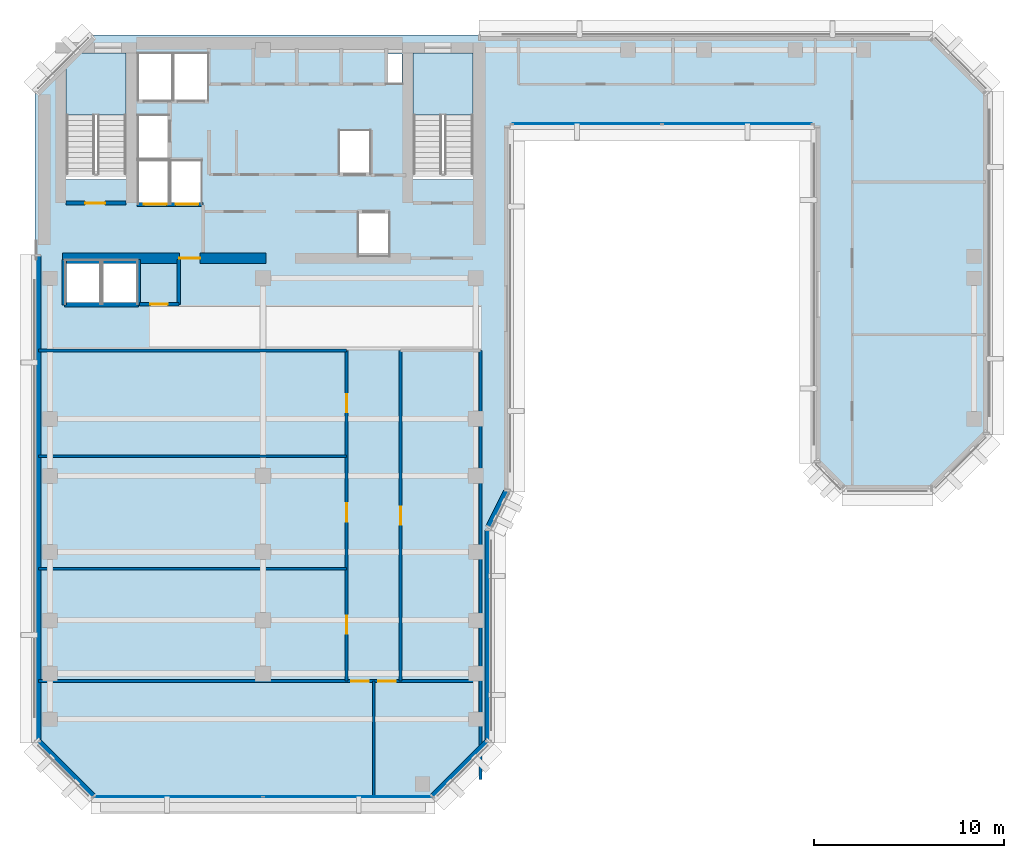
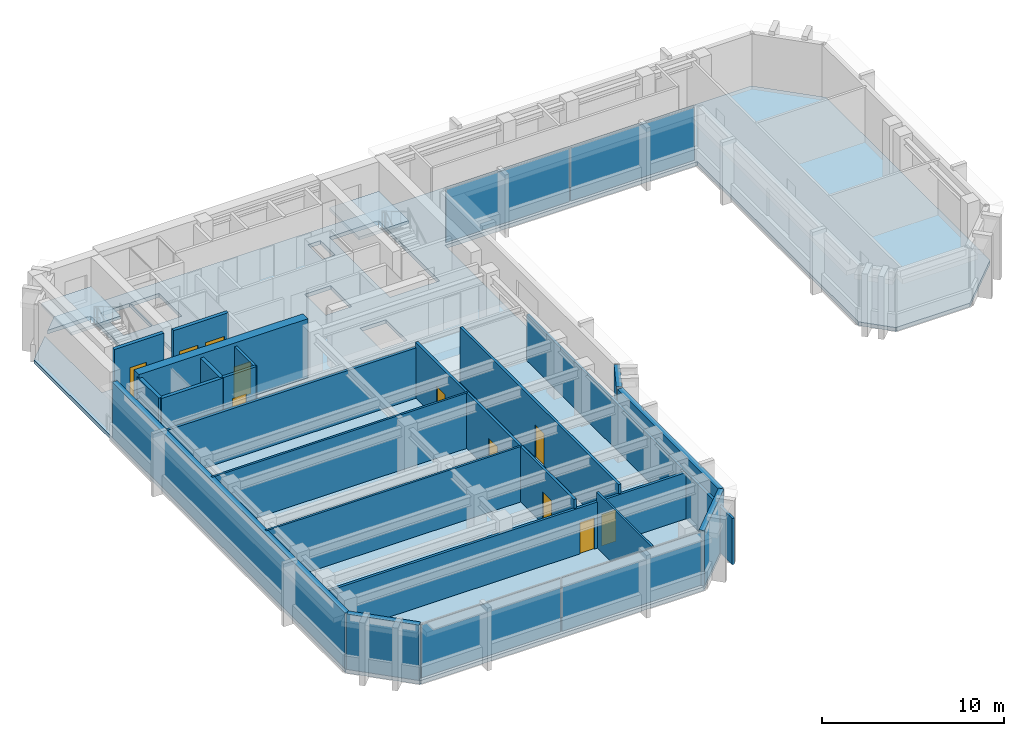
# One storey, part 5 of 11: 21 walls, 11 doors, 4 plates, 3 slabs, 11 openings, 4 elements without a shape of their own.
"""IFC4 building model written with IfcOpenShell, lengths in metres."""

from ifc_helpers import new_model, si_unit, direction, frame, frame_2d, origin, origin_2d, place, context, subcontext, project, spatial, polyline, rectangle, outline, extrude, material, layer, layer_set, type_object, element, fill, aggregate, save


model = new_model("IFC4")

# Units and contexts
model_context = context("Model", 3, precision=1e-05, world=origin(), true_north=direction((0.0, 1.0)))
body_context = subcontext(model_context, "Body", "Model", "MODEL_VIEW")
ifc_project = project(units=[si_unit("LENGTHUNIT", "METRE"), si_unit("AREAUNIT", "SQUARE_METRE"), si_unit("VOLUMEUNIT", "CUBIC_METRE"), si_unit("PLANEANGLEUNIT", "RADIAN"), si_unit("MASSUNIT", "GRAM", prefix="KILO")], contexts=[model_context])

# Site, building, storey
site_placement = place(None, origin())
site = spatial("IfcSite", under=ifc_project, at=site_placement, CompositionType="ELEMENT")
building_placement = place(site_placement, origin())
building = spatial("IfcBuilding", under=site, at=building_placement, Name="Kefirva Bronze Tower", CompositionType="ELEMENT")
storey_placement = place(building_placement, frame((0.0, 0.0, 227.699951171875)))
storey = spatial("IfcBuildingStorey", under=building, at=storey_placement, Name="L55", CompositionType="ELEMENT", Elevation=227.699951171875)

# Stair, slab
ifc_material_1 = material(Name="Concrete C40/50", Category="concrete")
stair_type = type_object("IfcStairType", Name="RC Dogleg Protected Stair 24R", PredefinedType="HALF_TURN_STAIR", material=ifc_material_1)
stair_1_placement = place(storey_placement, origin())
stair_1 = element("IfcStair", 1, at=stair_1_placement, inside=storey, type_object=stair_type, Name="L55 Protected Exit Stair 1", PredefinedType="HALF_TURN_STAIR")
ifc_layer_1 = layer(ifc_material_1, 0.199951171875, Name="Concrete C40/50")
ifc_layer_set_1 = layer_set([ifc_layer_1], Name="Concrete C40/50")
slab_type_1 = type_object("IfcSlabType", Name="RC Stair Landing Slab 200mm", PredefinedType="LANDING", material=ifc_layer_set_1)
slab_1_placement = place(storey_placement, frame((0.0, 0.0, 1.780029296875)))
slab_1 = element("IfcSlab", 2, at=slab_1_placement, type_object=slab_type_1, Name="ST-1 landing 1", PredefinedType="LANDING", context=body_context, shape_type="SweptSolid", body=[
    extrude(outline(polyline([(4.800048828125, 41.780029296875), (4.800048828125, 45.050048828125), (1.64990234375, 45.050048828125), (1.64990234375, 41.780029296875), (4.800048828125, 41.780029296875)])), origin(), (0.0, 0.0, 1.0), 0.199951171875),
])
aggregate(stair_1, [slab_1])

stair_2_placement = place(storey_placement, origin())
stair_2 = element("IfcStair", 3, at=stair_2_placement, inside=storey, type_object=stair_type, Name="L55 Protected Exit Stair 2", PredefinedType="HALF_TURN_STAIR")
slab_2_placement = place(storey_placement, frame((0.0, 0.0, 1.780029296875)))
slab_2 = element("IfcSlab", 4, at=slab_2_placement, type_object=slab_type_1, Name="ST-2 landing 1", PredefinedType="LANDING", context=body_context, shape_type="SweptSolid", body=[
    extrude(outline(polyline([(23.050048828125, 41.780029296875), (23.050048828125, 45.050048828125), (19.89990234375, 45.050048828125), (19.89990234375, 41.780029296875), (23.050048828125, 41.780029296875)])), origin(), (0.0, 0.0, 1.0), 0.199951171875),
])
aggregate(stair_2, [slab_2])

# Slab
ifc_layer_2 = layer(ifc_material_1, 0.25, Name="Concrete C40/50")
ifc_layer_set_2 = layer_set([ifc_layer_2], Name="Concrete C40/50")
slab_type_2 = type_object("IfcSlabType", Name="RC Tower Floor Slab 250mm", PredefinedType="FLOOR", material=ifc_layer_set_2)
slab_3_placement = place(storey_placement, frame((0.0, 0.0, -0.25)))
element("IfcSlab", 5, at=slab_3_placement, inside=storey, type_object=slab_type_2, Name="L55 Structural Floor Slab", PredefinedType="FLOOR", context=body_context, shape_type="SweptSolid", body=[
    extrude(outline(polyline([(0.0, 8.800048828125), (0.0, 43.0), (1.64990234375, 44.64990234375), (1.64990234375, 38.39990234375), (4.800048828125, 38.39990234375), (4.800048828125, 45.050048828125), (2.050048828125, 45.050048828125), (3.0, 46.0), (47.199951171875, 46.0), (50.199951171875, 43.0), (50.199951171875, 25.0), (47.199951171875, 22.0), (42.5, 22.0), (41.0, 23.5), (41.0, 41.199951171875), (25.0, 41.199951171875), (25.0, 22.0), (24.0, 20.0), (24.0, 8.800048828125), (21.0, 5.800048828125), (3.0, 5.800048828125), (0.0, 8.800048828125)]), holes=[polyline([(23.050048828125, 45.050048828125), (19.89990234375, 45.050048828125), (19.89990234375, 38.39990234375), (23.050048828125, 38.39990234375), (23.050048828125, 45.050048828125)]), polyline([(19.320068359375, 43.419921875), (19.320068359375, 45.0), (18.52001953125, 45.0), (18.52001953125, 43.419921875), (19.320068359375, 43.419921875)]), polyline([(18.64990234375, 36.64990234375), (17.0, 36.64990234375), (17.0, 34.35009765625), (18.64990234375, 34.35009765625), (18.64990234375, 36.64990234375)]), polyline([(17.64990234375, 38.679931640625), (17.64990234375, 40.97998046875), (16.0, 40.97998046875), (16.0, 38.679931640625), (17.64990234375, 38.679931640625)]), polyline([(9.1201171875, 42.550048828125), (9.1201171875, 45.050048828125), (7.300048828125, 45.050048828125), (7.300048828125, 42.550048828125), (9.1201171875, 42.550048828125)]), polyline([(8.780029296875, 37.10009765625), (8.780029296875, 39.39990234375), (7.139892578125, 39.39990234375), (7.139892578125, 37.10009765625), (8.780029296875, 37.10009765625)]), polyline([(7.239990234375, 42.550048828125), (7.239990234375, 45.050048828125), (5.419921875, 45.050048828125), (5.419921875, 42.550048828125), (7.239990234375, 42.550048828125)]), polyline([(7.06005859375, 37.10009765625), (7.06005859375, 39.39990234375), (5.419921875, 39.39990234375), (5.419921875, 37.10009765625), (7.06005859375, 37.10009765625)]), polyline([(7.06005859375, 41.780029296875), (5.419921875, 41.780029296875), (5.419921875, 39.47998046875), (7.06005859375, 39.47998046875), (7.06005859375, 41.780029296875)]), polyline([(5.39990234375, 31.85009765625), (5.39990234375, 34.14990234375), (3.550048828125, 34.14990234375), (3.550048828125, 31.85009765625), (5.39990234375, 31.85009765625)]), polyline([(3.449951171875, 34.14990234375), (1.60009765625, 34.14990234375), (1.60009765625, 31.85009765625), (3.449951171875, 31.85009765625), (3.449951171875, 34.14990234375)])]), origin(), (0.0, 0.0, 1.0), 0.25),
])

# Curtain wall, plates
ifc_material_2 = material(Name="Bronze anodised aluminium", Category="aluminium")
ifc_layer_3 = layer(ifc_material_2, 0.179931640625, Name="Bronze anodised aluminium")
ifc_layer_set_3 = layer_set([ifc_layer_3], Name="Bronze anodised aluminium")
curtain_wall_type = type_object("IfcCurtainWallType", Name="Unitised Bronze Ribbon Curtain Wall Zone 3", PredefinedType="USERDEFINED", material=ifc_layer_set_3)
curtain_wall_1_placement = place(storey_placement, origin())
curtain_wall_1 = element("IfcCurtainWall", 6, at=curtain_wall_1_placement, inside=storey, type_object=curtain_wall_type, Name="L55 Curtain Wall 1", ObjectType="UNITISED CURTAIN WALL", PredefinedType="USERDEFINED")
ifc_material_3 = material(Name="Laminated low-E double glazing", Category="glass")
ifc_layer_4 = layer(ifc_material_3, 0.031982421875, Name="Laminated low-E double glazing")
ifc_layer_set_4 = layer_set([ifc_layer_4], Name="Laminated low-E double glazing")
plate_type = type_object("IfcPlateType", Name="Solar-Control Low-E Vision Panel 32mm", PredefinedType="CURTAIN_PANEL", material=ifc_layer_set_4)
plate_1_placement = place(storey_placement, frame((7.546142578125, 5.919921875, 0.074951171875), z_axis=(0.0, 0.0, 1.0), x_axis=(1.0, 0.0, 0.0)))
plate_1 = element("IfcPlate", 7, at=plate_1_placement, type_object=plate_type, Name="CW-03 panel 1.1", PredefinedType="CURTAIN_PANEL", context=body_context, shape_type="SweptSolid", body=[
    extrude(rectangle(XDim=8.83251953125, YDim=0.031982421875, at=origin_2d()), origin(), (0.0, 0.0, 1.0), 3.56005859375),
])
plate_2_placement = place(storey_placement, frame((16.453857421875, 5.919921875, 0.074951171875), z_axis=(0.0, 0.0, 1.0), x_axis=(1.0, 0.0, 0.0)))
plate_2 = element("IfcPlate", 8, at=plate_2_placement, type_object=plate_type, Name="CW-03 panel 2.1", PredefinedType="CURTAIN_PANEL", context=body_context, shape_type="SweptSolid", body=[
    extrude(rectangle(XDim=8.83251953125, YDim=0.031982421875, at=origin_2d()), origin(), (0.0, 0.0, 1.0), 3.56005859375),
])
aggregate(curtain_wall_1, [plate_1, plate_2])

curtain_wall_2_placement = place(storey_placement, origin())
curtain_wall_2 = element("IfcCurtainWall", 9, at=curtain_wall_2_placement, inside=storey, type_object=curtain_wall_type, Name="L55 Curtain Wall 2", ObjectType="UNITISED CURTAIN WALL", PredefinedType="USERDEFINED")
plate_3_placement = place(storey_placement, frame((29.046142578125, 41.320068359375, 0.074951171875), z_axis=(0.0, 0.0, 1.0), x_axis=(1.0, 0.0, 0.0)))
plate_3 = element("IfcPlate", 10, at=plate_3_placement, type_object=plate_type, Name="CW-03 panel 1.1", PredefinedType="CURTAIN_PANEL", context=body_context, shape_type="SweptSolid", body=[
    extrude(rectangle(XDim=7.83251953125, YDim=0.031982421875, at=origin_2d()), origin(), (0.0, 0.0, 1.0), 3.56005859375),
])
plate_4_placement = place(storey_placement, frame((36.953857421875, 41.320068359375, 0.074951171875), z_axis=(0.0, 0.0, 1.0), x_axis=(1.0, 0.0, 0.0)))
plate_4 = element("IfcPlate", 11, at=plate_4_placement, type_object=plate_type, Name="CW-03 panel 2.1", PredefinedType="CURTAIN_PANEL", context=body_context, shape_type="SweptSolid", body=[
    extrude(rectangle(XDim=7.83251953125, YDim=0.031982421875, at=origin_2d()), origin(), (0.0, 0.0, 1.0), 3.56005859375),
])
aggregate(curtain_wall_2, [plate_3, plate_4])

# Walls
ifc_material_4 = material(Name="Gypsum acoustic partition")
ifc_layer_5 = layer(ifc_material_4, 0.1298828125, Name="Gypsum acoustic partition")
ifc_layer_set_5 = layer_set([ifc_layer_5], Name="Gypsum acoustic partition")
wall_type_1 = type_object("IfcWallType", Name="Acoustic Office Partition 130mm", PredefinedType="PARTITIONING", material=ifc_layer_set_5)
wall_1_placement = place(storey_placement, frame((17.820068359375, 5.989990234375, 0.0), z_axis=(0.0, 0.0, 1.0), x_axis=(0.0, 1.0, 0.0)))
element("IfcWall", 12, at=wall_1_placement, inside=storey, type_object=wall_type_1, Name="L55 Partition W-L55-CAPDV", PredefinedType="PARTITIONING", context=body_context, shape_type="SweptSolid", body=[
    extrude(rectangle(XDim=6.010009765625, YDim=0.1298828125, at=frame_2d((3.0048828125, 0.0))), origin(), (0.0, 0.0, 1.0), 3.7099609375),
])
for number, where, z_axis, x_axis, name in (
    (13, (0.18994140625, 17.916015625, 0.0), (0.0, 0.0, 1.0), (1.0, 0.0, 0.0), "L55 Partition W-L55-SWD1"),
    (14, (0.18994140625, 23.83203125, 0.0), (0.0, 0.0, 1.0), (1.0, 0.0, 0.0), "L55 Partition W-L55-SWD2"),
):
    element("IfcWall", number, at=place(storey_placement, frame(where, z_axis=z_axis, x_axis=x_axis)), inside=storey, type_object=wall_type_1, Name=name, PredefinedType="PARTITIONING", context=body_context, shape_type="SweptSolid", body=[
        extrude(rectangle(XDim=16.2099609375, YDim=0.1298828125, at=frame_2d((8.10498046875, 0.0))), origin(), (0.0, 0.0, 1.0), 3.7099609375),
    ])

# Wall, opening, door
ifc_material_5 = material(Name="Gypsum fireboard shaftwall")
ifc_layer_6 = layer(ifc_material_5, 0.219970703125, Name="Gypsum fireboard shaftwall")
ifc_layer_set_6 = layer_set([ifc_layer_6], Name="Gypsum fireboard shaftwall")
wall_type_2 = type_object("IfcWallType", Name="Fire-Rated Shaft Enclosure Wall 220mm", PredefinedType="PARTITIONING", material=ifc_layer_set_6)
wall_2_placement = place(storey_placement, frame((1.64990234375, 37.14990234375, 0.0), z_axis=(0.0, 0.0, 1.0), x_axis=(1.0, 0.0, 0.0)))
wall_2 = element("IfcWall", 15, at=wall_2_placement, inside=storey, type_object=wall_type_2, Name="L55 Partition W-L55-ST1S", PredefinedType="PARTITIONING", context=body_context, shape_type="SweptSolid", body=[
    extrude(rectangle(XDim=3.150146484375, YDim=0.219970703125, at=frame_2d((1.5751953125, 0.0))), origin(), (0.0, 0.0, 1.0), 3.7099609375),
])
opening_1_placement = place(wall_2_placement, frame((2.050048828125, 0.0, 0.0), z_axis=(0.0, 0.0, 1.0), x_axis=(-1.0, 0.0, 0.0)))
opening_1 = element("IfcOpeningElement", 16, at=opening_1_placement, cuts=wall_2, Name="Opening L55-D001", PredefinedType="OPENING", context=body_context, shape_type="SweptSolid", body=[
    extrude(rectangle(XDim=1.050048828125, YDim=2.14990234375, at=frame_2d((0.52490234375, 1.074951171875))), frame((0.0, 0.1201171875, 0.0), z_axis=(0.0, -1.0, 0.0), x_axis=(1.0, 0.0, 0.0)), (0.0, 0.0, 1.0), 0.239990234375),
])
ifc_material_6 = material(Name="Painted galvanized steel", Category="steel")
door_type_1 = type_object("IfcDoorType", Name="Fire Stair Enclosure Door 1050x2150 FD90S", OperationType="NOTDEFINED", PredefinedType="DOOR", material=ifc_material_6)
door_1_placement = place(opening_1_placement, origin())
door_1 = element("IfcDoor", 17, at=door_1_placement, inside=storey, type_object=door_type_1, Name="Door L55-D001", OperationType="SINGLE_SWING_LEFT", OverallHeight=2.14990234375, OverallWidth=1.050048828125, PredefinedType="DOOR", context=body_context, shape_type="SweptSolid", body=[
    extrude(rectangle(XDim=1.050048828125, YDim=2.14990234375, at=frame_2d((0.52490234375, 1.074951171875))), frame((0.0, 0.02490234375, 0.0), z_axis=(0.0, -1.0, 0.0), x_axis=(1.0, 0.0, 0.0)), (0.0, 0.0, 1.0), 0.050048828125),
])
fill(opening_1, door_1)

# Wall, openings, doors
wall_3_placement = place(storey_placement, frame((5.3798828125, 37.080078125, 0.0), z_axis=(0.0, 0.0, 1.0), x_axis=(1.0, 0.0, 0.0)))
wall_3 = element("IfcWall", 18, at=wall_3_placement, inside=storey, type_object=wall_type_2, Name="L55 Partition W-L55-FFS", PredefinedType="PARTITIONING", context=body_context, shape_type="SweptSolid", body=[
    extrude(rectangle(XDim=3.460205078125, YDim=0.219970703125, at=frame_2d((1.72998046875, 0.0))), origin(), (0.0, 0.0, 1.0), 3.7099609375),
])
opening_2_placement = place(wall_3_placement, frame((1.550048828125, 0.0, 0.0), z_axis=(0.0, 0.0, 1.0), x_axis=(-1.0, 0.0, 0.0)))
opening_2 = element("IfcOpeningElement", 19, at=opening_2_placement, cuts=wall_3, Name="Opening L55-LD-FF1", PredefinedType="OPENING", context=body_context, shape_type="SweptSolid", body=[
    extrude(rectangle(XDim=1.199951171875, YDim=2.199951171875, at=frame_2d((0.60009765625, 1.10009765625))), frame((0.0, 0.1201171875, 0.0), z_axis=(0.0, -1.0, 0.0), x_axis=(1.0, 0.0, 0.0)), (0.0, 0.0, 1.0), 0.239990234375),
])
opening_3_placement = place(wall_3_placement, frame((3.219970703125, 0.0, 0.0), z_axis=(0.0, 0.0, 1.0), x_axis=(-1.0, 0.0, 0.0)))
opening_3 = element("IfcOpeningElement", 20, at=opening_3_placement, cuts=wall_3, Name="Opening L55-LD-FF2", PredefinedType="OPENING", context=body_context, shape_type="SweptSolid", body=[
    extrude(rectangle(XDim=1.199951171875, YDim=2.199951171875, at=frame_2d((0.60009765625, 1.10009765625))), frame((0.0, 0.1201171875, 0.0), z_axis=(0.0, -1.0, 0.0), x_axis=(1.0, 0.0, 0.0)), (0.0, 0.0, 1.0), 0.239990234375),
])
ifc_material_7 = material(Name="Stainless steel 316", Category="steel")
door_type_2 = type_object("IfcDoorType", Name="Firefighting Lift Sliding Door 1200x2200", OperationType="SLIDING_TO_RIGHT", PredefinedType="DOOR", material=ifc_material_7)
door_2_placement = place(opening_2_placement, origin())
door_2 = element("IfcDoor", 21, at=door_2_placement, inside=storey, type_object=door_type_2, Name="Door L55-LD-FF1", OperationType="SLIDING_TO_RIGHT", OverallHeight=2.199951171875, OverallWidth=1.199951171875, PredefinedType="DOOR", context=body_context, shape_type="SweptSolid", body=[
    extrude(rectangle(XDim=1.199951171875, YDim=2.199951171875, at=frame_2d((0.60009765625, 1.10009765625))), frame((0.0, 0.02490234375, 0.0), z_axis=(0.0, -1.0, 0.0), x_axis=(1.0, 0.0, 0.0)), (0.0, 0.0, 1.0), 0.050048828125),
])
fill(opening_2, door_2)
door_3_placement = place(opening_3_placement, origin())
door_3 = element("IfcDoor", 22, at=door_3_placement, inside=storey, type_object=door_type_2, Name="Door L55-LD-FF2", OperationType="SLIDING_TO_RIGHT", OverallHeight=2.199951171875, OverallWidth=1.199951171875, PredefinedType="DOOR", context=body_context, shape_type="SweptSolid", body=[
    extrude(rectangle(XDim=1.199951171875, YDim=2.199951171875, at=frame_2d((0.60009765625, 1.10009765625))), frame((0.0, 0.02490234375, 0.0), z_axis=(0.0, -1.0, 0.0), x_axis=(1.0, 0.0, 0.0)), (0.0, 0.0, 1.0), 0.050048828125),
])
fill(opening_3, door_3)

# Walls
wall_4_placement = place(storey_placement, frame((1.550048828125, 31.800048828125, 0.0), z_axis=(0.0, 0.0, 1.0), x_axis=(1.0, 0.0, 0.0)))
element("IfcWall", 23, at=wall_4_placement, inside=storey, type_object=wall_type_2, Name="L55 Partition W-L55-OBS", PredefinedType="PARTITIONING", context=body_context, shape_type="SweptSolid", body=[
    extrude(rectangle(XDim=3.89990234375, YDim=0.219970703125, at=frame_2d((1.949951171875, 0.0))), origin(), (0.0, 0.0, 1.0), 3.7099609375),
])
for number, where, z_axis, x_axis, name in (
    (24, (1.550048828125, 31.800048828125, 0.0), (0.0, 0.0, 1.0), (0.0, 1.0, 0.0), "L55 Partition W-L55-OBW"),
    (25, (5.449951171875, 31.800048828125, 0.0), (0.0, 0.0, 1.0), (0.0, 1.0, 0.0), "L55 Partition W-L55-OBE"),
):
    element("IfcWall", number, at=place(storey_placement, frame(where, z_axis=z_axis, x_axis=x_axis)), inside=storey, type_object=wall_type_2, Name=name, PredefinedType="PARTITIONING", context=body_context, shape_type="SweptSolid", body=[
        extrude(rectangle(XDim=2.3798828125, YDim=0.219970703125, at=frame_2d((1.18994140625, 0.0))), origin(), (0.0, 0.0, 1.0), 3.7099609375),
    ])
ifc_material_8 = material(Name="Precast concrete C40/50", Category="concrete")
ifc_layer_7 = layer(ifc_material_8, 0.320068359375, Name="Precast concrete C40/50")
ifc_layer_set_7 = layer_set([ifc_layer_7], Name="Precast concrete C40/50")
wall_type_3 = type_object("IfcWallType", Name="Precast Insulated Exterior Wall 320mm", PredefinedType="SOLIDWALL", material=ifc_layer_set_7)
wall_5_placement = place(storey_placement, frame((20.92578125, 5.951904296875, 0.0), z_axis=(0.0, 0.0, 1.0), x_axis=(0.707077242712, 0.707136318428, 0.0)))
element("IfcWall", 26, at=wall_5_placement, inside=storey, type_object=wall_type_3, Name="L55 Exterior Facade Wall 1", PredefinedType="SOLIDWALL", context=body_context, shape_type="SweptSolid", body=[
    extrude(rectangle(XDim=4.132568359375, YDim=0.320068359375, at=frame_2d((2.06640625, 0.0))), origin(), (0.0, 0.0, 1.0), 3.7099609375),
])
wall_6_placement = place(storey_placement, frame((23.840087890625, 8.85498046875, 0.0), z_axis=(0.0, 0.0, 1.0), x_axis=(0.0, 1.0, 0.0)))
element("IfcWall", 27, at=wall_6_placement, inside=storey, type_object=wall_type_3, Name="L55 Exterior Facade Wall 2", PredefinedType="SOLIDWALL", context=body_context, shape_type="SweptSolid", body=[
    extrude(rectangle(XDim=11.090087890625, YDim=0.320068359375, at=frame_2d((5.544921875, 0.0))), origin(), (0.0, 0.0, 1.0), 3.7099609375),
])
wall_7_placement = place(storey_placement, frame((23.881591796875, 20.12060546875, 0.0), z_axis=(0.0, 0.0, 1.0), x_axis=(0.447121734542, 0.894473115583, 0.0)))
element("IfcWall", 28, at=wall_7_placement, inside=storey, type_object=wall_type_3, Name="L55 Exterior Facade Wall 3", PredefinedType="SOLIDWALL", context=body_context, shape_type="SweptSolid", body=[
    extrude(rectangle(XDim=2.126220703125, YDim=0.320068359375, at=frame_2d((1.06298828125, 0.0))), origin(), (0.0, 0.0, 1.0), 3.7099609375),
])
wall_8_placement = place(storey_placement, frame((0.159912109375, 34.39501953125, 0.0), z_axis=(0.0, 0.0, 1.0), x_axis=(0.0, -1.0, 0.0)))
element("IfcWall", 29, at=wall_8_placement, inside=storey, type_object=wall_type_3, Name="L55 Exterior Facade Wall 13", PredefinedType="SOLIDWALL", context=body_context, shape_type="SweptSolid", body=[
    extrude(rectangle(XDim=25.5400390625, YDim=0.320068359375, at=frame_2d((12.77001953125, 0.0))), origin(), (0.0, 0.0, 1.0), 3.7099609375),
])
wall_9_placement = place(storey_placement, frame((0.152099609375, 8.874267578125, 0.0), z_axis=(0.0, 0.0, 1.0), x_axis=(0.707077242712, -0.707136318428, 0.0)))
element("IfcWall", 30, at=wall_9_placement, inside=storey, type_object=wall_type_3, Name="L55 Exterior Facade Wall 14", PredefinedType="SOLIDWALL", context=body_context, shape_type="SweptSolid", body=[
    extrude(rectangle(XDim=4.132568359375, YDim=0.320068359375, at=frame_2d((2.06640625, 0.0))), origin(), (0.0, 0.0, 1.0), 3.7099609375),
])

# Wall, openings, doors
ifc_layer_8 = layer(ifc_material_4, 0.159912109375, Name="Gypsum acoustic partition")
ifc_layer_set_8 = layer_set([ifc_layer_8], Name="Gypsum acoustic partition")
wall_type_4 = type_object("IfcWallType", Name="Protected Corridor Partition 160mm", PredefinedType="PARTITIONING", material=ifc_layer_set_8)
wall_10_placement = place(storey_placement, frame((16.39990234375, 12.0, 0.0), z_axis=(0.0, 0.0, 1.0), x_axis=(0.0, 1.0, 0.0)))
wall_10 = element("IfcWall", 31, at=wall_10_placement, inside=storey, type_object=wall_type_4, Name="L55 Partition W-L55-SWCORW", PredefinedType="PARTITIONING", context=body_context, shape_type="SweptSolid", body=[
    extrude(rectangle(XDim=17.39990234375, YDim=0.159912109375, at=frame_2d((8.699951171875, 0.0))), origin(), (0.0, 0.0, 1.0), 3.7099609375),
])
opening_4_placement = place(wall_10_placement, frame((3.432861328125, 0.0, 0.0), z_axis=(0.0, 0.0, 1.0), x_axis=(-1.0, 0.0, 0.0)))
opening_4 = element("IfcOpeningElement", 32, at=opening_4_placement, cuts=wall_10, Name="Opening L55-D-SW1", PredefinedType="OPENING", context=body_context, shape_type="SweptSolid", body=[
    extrude(rectangle(XDim=0.949951171875, YDim=2.14990234375, at=frame_2d((0.47509765625, 1.074951171875))), frame((0.0, 0.08984375, 0.0), z_axis=(0.0, -1.0, 0.0), x_axis=(1.0, 0.0, 0.0)), (0.0, 0.0, 1.0), 0.179931640625),
])
opening_5_placement = place(wall_10_placement, frame((9.348876953125, 0.0, 0.0), z_axis=(0.0, 0.0, 1.0), x_axis=(-1.0, 0.0, 0.0)))
opening_5 = element("IfcOpeningElement", 33, at=opening_5_placement, cuts=wall_10, Name="Opening L55-D-SW2", PredefinedType="OPENING", context=body_context, shape_type="SweptSolid", body=[
    extrude(rectangle(XDim=0.949951171875, YDim=2.14990234375, at=frame_2d((0.47509765625, 1.074951171875))), frame((0.0, 0.08984375, 0.0), z_axis=(0.0, -1.0, 0.0), x_axis=(1.0, 0.0, 0.0)), (0.0, 0.0, 1.0), 0.179931640625),
])
opening_6_placement = place(wall_10_placement, frame((15.091064453125, 0.0, 0.0), z_axis=(0.0, 0.0, 1.0), x_axis=(-1.0, 0.0, 0.0)))
opening_6 = element("IfcOpeningElement", 34, at=opening_6_placement, cuts=wall_10, Name="Opening L55-D-SW3", PredefinedType="OPENING", context=body_context, shape_type="SweptSolid", body=[
    extrude(rectangle(XDim=0.949951171875, YDim=2.14990234375, at=frame_2d((0.47509765625, 1.074951171875))), frame((0.0, 0.08984375, 0.0), z_axis=(0.0, -1.0, 0.0), x_axis=(1.0, 0.0, 0.0)), (0.0, 0.0, 1.0), 0.179931640625),
])
ifc_material_9 = material(Name="Acoustic hardwood oak", Category="wood")
door_type_3 = type_object("IfcDoorType", Name="Office & Meeting Room Door 950x2150", OperationType="NOTDEFINED", PredefinedType="DOOR", material=ifc_material_9)
door_4_placement = place(opening_4_placement, origin())
door_4 = element("IfcDoor", 35, at=door_4_placement, inside=storey, type_object=door_type_3, Name="Door L55-D-SW1", OperationType="SINGLE_SWING_RIGHT", OverallHeight=2.14990234375, OverallWidth=0.949951171875, PredefinedType="DOOR", context=body_context, shape_type="SweptSolid", body=[
    extrude(rectangle(XDim=0.949951171875, YDim=2.14990234375, at=frame_2d((0.47509765625, 1.074951171875))), frame((0.0, 0.02490234375, 0.0), z_axis=(0.0, -1.0, 0.0), x_axis=(1.0, 0.0, 0.0)), (0.0, 0.0, 1.0), 0.050048828125),
])
fill(opening_4, door_4)
door_5_placement = place(opening_5_placement, origin())
door_5 = element("IfcDoor", 36, at=door_5_placement, inside=storey, type_object=door_type_3, Name="Door L55-D-SW2", OperationType="SINGLE_SWING_LEFT", OverallHeight=2.14990234375, OverallWidth=0.949951171875, PredefinedType="DOOR", context=body_context, shape_type="SweptSolid", body=[
    extrude(rectangle(XDim=0.949951171875, YDim=2.14990234375, at=frame_2d((0.47509765625, 1.074951171875))), frame((0.0, 0.02490234375, 0.0), z_axis=(0.0, -1.0, 0.0), x_axis=(1.0, 0.0, 0.0)), (0.0, 0.0, 1.0), 0.050048828125),
])
fill(opening_5, door_5)
door_6_placement = place(opening_6_placement, origin())
door_6 = element("IfcDoor", 37, at=door_6_placement, inside=storey, type_object=door_type_3, Name="Door L55-D-SW3", OperationType="SINGLE_SWING_RIGHT", OverallHeight=2.14990234375, OverallWidth=0.949951171875, PredefinedType="DOOR", context=body_context, shape_type="SweptSolid", body=[
    extrude(rectangle(XDim=0.949951171875, YDim=2.14990234375, at=frame_2d((0.47509765625, 1.074951171875))), frame((0.0, 0.02490234375, 0.0), z_axis=(0.0, -1.0, 0.0), x_axis=(1.0, 0.0, 0.0)), (0.0, 0.0, 1.0), 0.050048828125),
])
fill(opening_6, door_6)

# Wall, opening, door
wall_11_placement = place(storey_placement, frame((19.239990234375, 12.0, 0.0), z_axis=(0.0, 0.0, 1.0), x_axis=(0.0, 1.0, 0.0)))
wall_11 = element("IfcWall", 38, at=wall_11_placement, inside=storey, type_object=wall_type_4, Name="L55 Partition W-L55-SECORE", PredefinedType="PARTITIONING", context=body_context, shape_type="SweptSolid", body=[
    extrude(rectangle(XDim=17.39990234375, YDim=0.159912109375, at=frame_2d((8.699951171875, 0.0))), origin(), (0.0, 0.0, 1.0), 3.7099609375),
])
opening_7_placement = place(wall_11_placement, frame((8.22509765625, 0.0, 0.0)))
opening_7 = element("IfcOpeningElement", 39, at=opening_7_placement, cuts=wall_11, Name="Opening L55-D-SE1", PredefinedType="OPENING", context=body_context, shape_type="SweptSolid", body=[
    extrude(rectangle(XDim=0.949951171875, YDim=2.14990234375, at=frame_2d((0.47509765625, 1.074951171875))), frame((0.0, 0.08984375, 0.0), z_axis=(0.0, -1.0, 0.0), x_axis=(1.0, 0.0, 0.0)), (0.0, 0.0, 1.0), 0.179931640625),
])
door_7_placement = place(opening_7_placement, origin())
door_7 = element("IfcDoor", 40, at=door_7_placement, inside=storey, type_object=door_type_3, Name="Door L55-D-SE1", OperationType="SINGLE_SWING_LEFT", OverallHeight=2.14990234375, OverallWidth=0.949951171875, PredefinedType="DOOR", context=body_context, shape_type="SweptSolid", body=[
    extrude(rectangle(XDim=0.949951171875, YDim=2.14990234375, at=frame_2d((0.47509765625, 1.074951171875))), frame((0.0, 0.02490234375, 0.0), z_axis=(0.0, -1.0, 0.0), x_axis=(1.0, 0.0, 0.0)), (0.0, 0.0, 1.0), 0.050048828125),
])
fill(opening_7, door_7)

# Wall, openings, doors
wall_12_placement = place(storey_placement, frame((0.18994140625, 12.0, 0.0), z_axis=(0.0, 0.0, 1.0), x_axis=(1.0, 0.0, 0.0)))
wall_12 = element("IfcWall", 41, at=wall_12_placement, inside=storey, type_object=wall_type_4, Name="L55 Partition W-L55-SBEND", PredefinedType="PARTITIONING", context=body_context, shape_type="SweptSolid", body=[
    extrude(rectangle(XDim=23.260009765625, YDim=0.159912109375, at=frame_2d((11.6298828125, 0.0))), origin(), (0.0, 0.0, 1.0), 3.094970703125),
])
opening_8_placement = place(wall_12_placement, frame((16.4599609375, 0.0, 0.0)))
opening_8 = element("IfcOpeningElement", 42, at=opening_8_placement, cuts=wall_12, Name="Opening L55-D-SEND1", PredefinedType="OPENING", context=body_context, shape_type="SweptSolid", body=[
    extrude(rectangle(XDim=0.919921875, YDim=2.10009765625, at=frame_2d((0.4599609375, 1.050048828125))), frame((0.0, 0.08984375, 0.0), z_axis=(0.0, -1.0, 0.0), x_axis=(1.0, 0.0, 0.0)), (0.0, 0.0, 1.0), 0.179931640625),
])
opening_9_placement = place(wall_12_placement, frame((17.8798828125, 0.0, 0.0)))
opening_9 = element("IfcOpeningElement", 43, at=opening_9_placement, cuts=wall_12, Name="Opening L55-D-SEND2", PredefinedType="OPENING", context=body_context, shape_type="SweptSolid", body=[
    extrude(rectangle(XDim=0.919921875, YDim=2.10009765625, at=frame_2d((0.4599609375, 1.050048828125))), frame((0.0, 0.08984375, 0.0), z_axis=(0.0, -1.0, 0.0), x_axis=(1.0, 0.0, 0.0)), (0.0, 0.0, 1.0), 0.179931640625),
])
ifc_material_10 = material(Name="Moisture-resistant timber", Category="wood")
door_type_4 = type_object("IfcDoorType", Name="Accessible Sanitary & WC Door 920x2100", OperationType="NOTDEFINED", PredefinedType="DOOR", material=ifc_material_10)
door_8_placement = place(opening_8_placement, origin())
door_8 = element("IfcDoor", 44, at=door_8_placement, inside=storey, type_object=door_type_4, Name="Door L55-D-SEND1", OperationType="SINGLE_SWING_RIGHT", OverallHeight=2.10009765625, OverallWidth=0.919921875, PredefinedType="DOOR", context=body_context, shape_type="SweptSolid", body=[
    extrude(rectangle(XDim=0.919921875, YDim=2.10009765625, at=frame_2d((0.4599609375, 1.050048828125))), frame((0.0, 0.02490234375, 0.0), z_axis=(0.0, -1.0, 0.0), x_axis=(1.0, 0.0, 0.0)), (0.0, 0.0, 1.0), 0.050048828125),
])
fill(opening_8, door_8)
door_9_placement = place(opening_9_placement, origin())
door_9 = element("IfcDoor", 45, at=door_9_placement, inside=storey, type_object=door_type_4, Name="Door L55-D-SEND2", OperationType="SINGLE_SWING_LEFT", OverallHeight=2.10009765625, OverallWidth=0.919921875, PredefinedType="DOOR", context=body_context, shape_type="SweptSolid", body=[
    extrude(rectangle(XDim=0.919921875, YDim=2.10009765625, at=frame_2d((0.4599609375, 1.050048828125))), frame((0.0, 0.02490234375, 0.0), z_axis=(0.0, -1.0, 0.0), x_axis=(1.0, 0.0, 0.0)), (0.0, 0.0, 1.0), 0.050048828125),
])
fill(opening_9, door_9)

# Walls
wall_13_placement = place(storey_placement, frame((0.18994140625, 29.39990234375, 0.0), z_axis=(0.0, 0.0, 1.0), x_axis=(1.0, 0.0, 0.0)))
element("IfcWall", 46, at=wall_13_placement, inside=storey, type_object=wall_type_4, Name="L55 Partition W-L55-NWT", PredefinedType="PARTITIONING", context=body_context, shape_type="SweptSolid", body=[
    extrude(rectangle(XDim=16.2099609375, YDim=0.159912109375, at=frame_2d((8.10498046875, 0.0))), origin(), (0.0, 0.0, 1.0), 3.364990234375),
])
wall_14_placement = place(storey_placement, frame((23.449951171875, 6.840087890625, 0.0), z_axis=(0.0, 0.0, 1.0), x_axis=(0.0, 1.0, 0.0)))
element("IfcWall", 47, at=wall_14_placement, inside=storey, type_object=wall_type_4, Name="L55 Partition W-L55-SWEAST", PredefinedType="PARTITIONING", context=body_context, shape_type="SweptSolid", body=[
    extrude(rectangle(XDim=22.559814453125, YDim=0.159912109375, at=frame_2d((11.27978515625, 0.0))), origin(), (0.0, 0.0, 1.0), 3.094970703125),
])

# Wall, opening, door
ifc_material_11 = material(Name="Concrete C50/60", Category="concrete")
ifc_layer_9 = layer(ifc_material_11, 0.64990234375, Name="Concrete C50/60")
ifc_layer_set_9 = layer_set([ifc_layer_9], Name="Concrete C50/60")
wall_type_5 = type_object("IfcWallType", Name="RC Rear Core Interior Wall 650mm", PredefinedType="SHEAR", material=ifc_layer_set_9)
wall_15_placement = place(storey_placement, frame((1.449951171875, 34.25, 0.0), z_axis=(0.0, 0.0, 1.0), x_axis=(1.0, 0.0, 0.0)))
wall_15 = element("IfcWall", 48, at=wall_15_placement, inside=storey, type_object=wall_type_5, Name="L55 Rear Core South-West Shear Wall", PredefinedType="SHEAR", context=body_context, shape_type="SweptSolid", body=[
    extrude(rectangle(XDim=10.7099609375, YDim=0.550048828125, at=frame_2d((5.35498046875, 0.0))), origin(), (0.0, 0.0, 1.0), 3.9599609375),
])
opening_10_placement = place(wall_15_placement, frame((7.25, 0.0, 0.0), z_axis=(0.0, 0.0, 1.0), x_axis=(-1.0, 0.0, 0.0)))
opening_10 = element("IfcOpeningElement", 49, at=opening_10_placement, cuts=wall_15, Name="Opening L55-D002", PredefinedType="OPENING", context=body_context, shape_type="SweptSolid", body=[
    extrude(rectangle(XDim=1.10009765625, YDim=2.14990234375, at=frame_2d((0.550048828125, 1.074951171875))), frame((0.0, 0.28515625, 0.0), z_axis=(0.0, -1.0, 0.0), x_axis=(1.0, 0.0, 0.0)), (0.0, 0.0, 1.0), 0.570068359375),
])
door_type_5 = type_object("IfcDoorType", Name="Firefighting Lobby Smoke Door 1100x2150 FD60S", OperationType="NOTDEFINED", PredefinedType="DOOR", material=ifc_material_6)
door_10_placement = place(opening_10_placement, origin())
door_10 = element("IfcDoor", 50, at=door_10_placement, inside=storey, type_object=door_type_5, Name="Door L55-D002", OperationType="SINGLE_SWING_RIGHT", OverallHeight=2.14990234375, OverallWidth=1.10009765625, PredefinedType="DOOR", context=body_context, shape_type="SweptSolid", body=[
    extrude(rectangle(XDim=1.10009765625, YDim=2.14990234375, at=frame_2d((0.550048828125, 1.074951171875))), frame((0.0, 0.02490234375, 0.0), z_axis=(0.0, -1.0, 0.0), x_axis=(1.0, 0.0, 0.0)), (0.0, 0.0, 1.0), 0.050048828125),
])
fill(opening_10, door_10)

ifc_material_12 = material(Name="Moisture-resistant partition")
ifc_layer_10 = layer(ifc_material_12, 0.179931640625, Name="Moisture-resistant partition")
ifc_layer_set_10 = layer_set([ifc_layer_10], Name="Moisture-resistant partition")
wall_type_6 = type_object("IfcWallType", Name="Sanitary Plumbing Chase Wall 180mm", PredefinedType="PLUMBINGWALL", material=ifc_layer_set_10)
wall_16_placement = place(storey_placement, frame((5.5, 31.820068359375, 0.0), z_axis=(0.0, 0.0, 1.0), x_axis=(1.0, 0.0, 0.0)))
wall_16 = element("IfcWall", 51, at=wall_16_placement, inside=storey, type_object=wall_type_6, Name="L55 Partition W-L55-TCS", PredefinedType="PLUMBINGWALL", context=body_context, shape_type="SweptSolid", body=[
    extrude(rectangle(XDim=2.080078125, YDim=0.179931640625, at=frame_2d((1.0400390625, 0.0))), origin(), (0.0, 0.0, 1.0), 3.7099609375),
])
opening_11_placement = place(wall_16_placement, frame((1.47998046875, 0.0, 0.0), z_axis=(0.0, 0.0, 1.0), x_axis=(-1.0, 0.0, 0.0)))
opening_11 = element("IfcOpeningElement", 52, at=opening_11_placement, cuts=wall_16, Name="Opening L55-D-TCL1", PredefinedType="OPENING", context=body_context, shape_type="SweptSolid", body=[
    extrude(rectangle(XDim=0.89990234375, YDim=2.10009765625, at=frame_2d((0.449951171875, 1.050048828125))), frame((0.0, 0.10009765625, 0.0), z_axis=(0.0, -1.0, 0.0), x_axis=(1.0, 0.0, 0.0)), (0.0, 0.0, 1.0), 0.199951171875),
])
door_type_6 = type_object("IfcDoorType", Name="Telecom & Meter Fire Door 900x2100 FD60S", OperationType="NOTDEFINED", PredefinedType="DOOR", material=ifc_material_6)
door_11_placement = place(opening_11_placement, origin())
door_11 = element("IfcDoor", 53, at=door_11_placement, inside=storey, type_object=door_type_6, Name="Door L55-D-TCL1", OperationType="SINGLE_SWING_RIGHT", OverallHeight=2.10009765625, OverallWidth=0.89990234375, PredefinedType="DOOR", context=body_context, shape_type="SweptSolid", body=[
    extrude(rectangle(XDim=0.89990234375, YDim=2.10009765625, at=frame_2d((0.449951171875, 1.050048828125))), frame((0.0, 0.02490234375, 0.0), z_axis=(0.0, -1.0, 0.0), x_axis=(1.0, 0.0, 0.0)), (0.0, 0.0, 1.0), 0.050048828125),
])
fill(opening_11, door_11)

# Wall
wall_17_placement = place(storey_placement, frame((7.580078125, 31.820068359375, 0.0), z_axis=(0.0, 0.0, 1.0), x_axis=(0.0, 1.0, 0.0)))
element("IfcWall", 54, at=wall_17_placement, inside=storey, type_object=wall_type_6, Name="L55 Partition W-L55-TCE", PredefinedType="PLUMBINGWALL", context=body_context, shape_type="SweptSolid", body=[
    extrude(rectangle(XDim=2.35986328125, YDim=0.179931640625, at=frame_2d((1.179931640625, 0.0))), origin(), (0.0, 0.0, 1.0), 3.7099609375),
])

save(model, "model.ifc")
